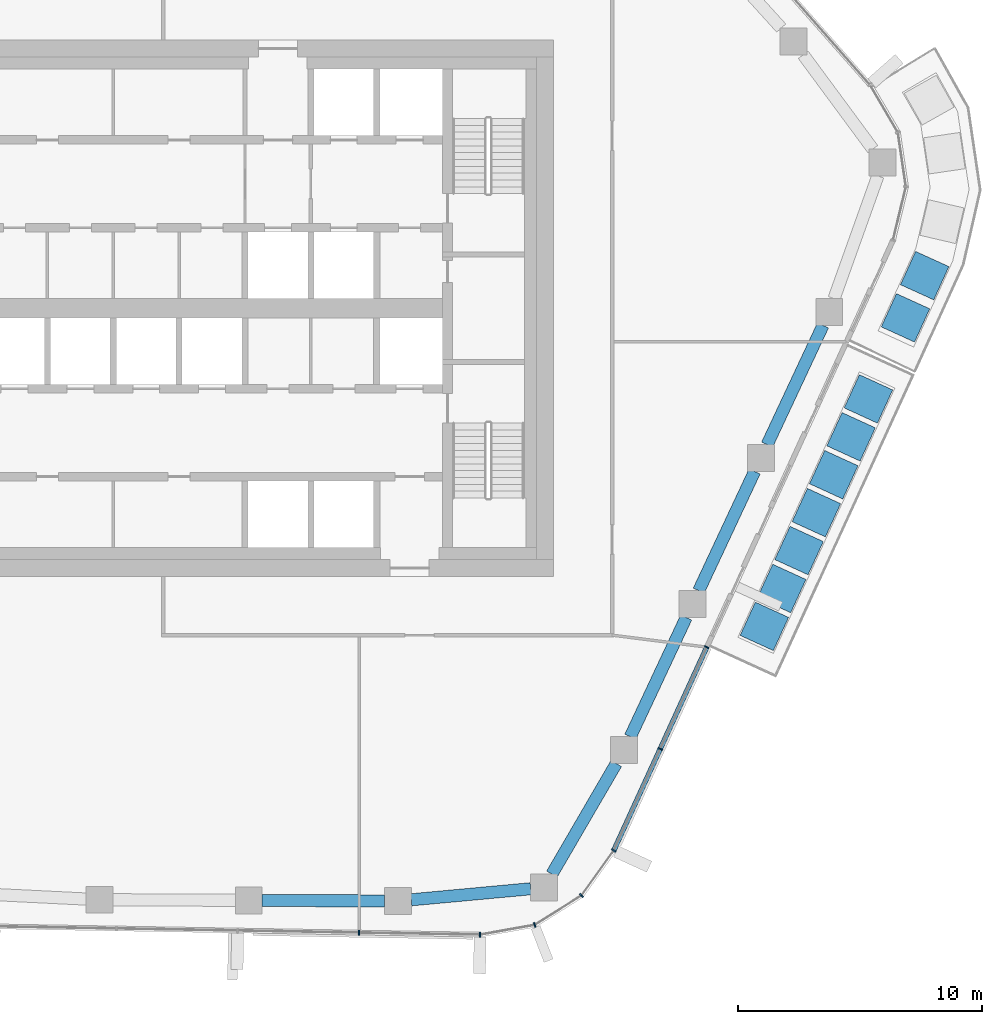
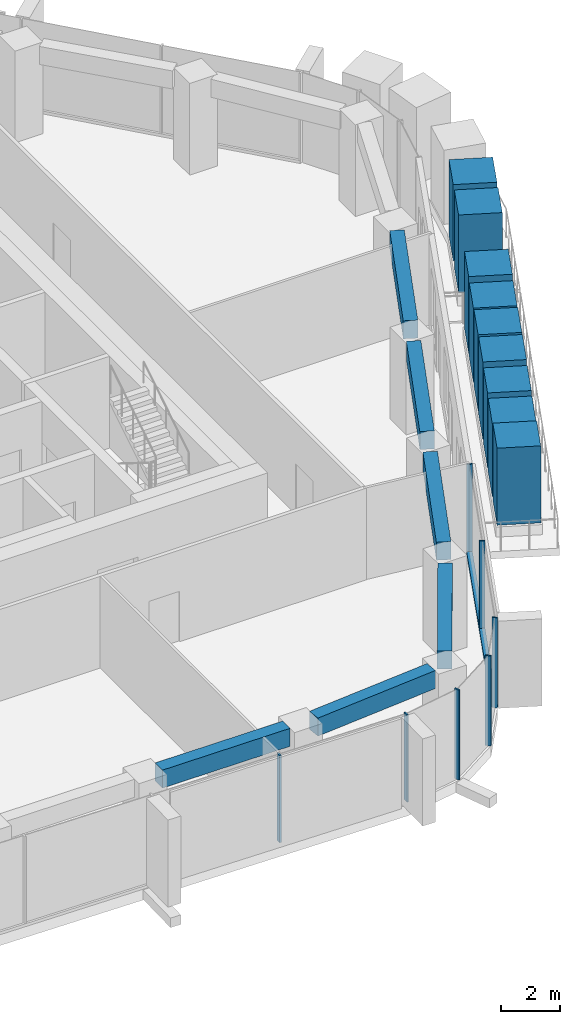
# One storey, part 5 of 22: 17 members, 6 beams, 3 elements without a shape of their own.
"""IFC4 building model written with IfcOpenShell, lengths in metres."""

from ifc_helpers import new_model, si_unit, direction, frame, origin, origin_2d, place, context, subcontext, project, spatial, rectangle, extrude, material, layer, layer_set, material_profile, profile_set, type_object, element, aggregate, save


model = new_model("IFC4")

# Units and contexts
model_context = context("Model", 3, precision=1e-05, world=origin(), true_north=direction((0.0, 1.0)))
body_context = subcontext(model_context, "Body", "Model", "MODEL_VIEW")
ifc_project = project(units=[si_unit("LENGTHUNIT", "METRE"), si_unit("AREAUNIT", "SQUARE_METRE"), si_unit("VOLUMEUNIT", "CUBIC_METRE"), si_unit("PLANEANGLEUNIT", "RADIAN"), si_unit("MASSUNIT", "GRAM", prefix="KILO")], contexts=[model_context])

# Site, building, storey
site_placement = place(None, origin())
site = spatial("IfcSite", under=ifc_project, at=site_placement, CompositionType="ELEMENT")
building_placement = place(site_placement, origin())
building = spatial("IfcBuilding", under=site, at=building_placement, Name="Dongbaek Canopy Tower", CompositionType="ELEMENT")
storey_placement = place(building_placement, frame((0.0, 0.0, 237.0)))
storey = spatial("IfcBuildingStorey", under=building, at=storey_placement, Name="L49", CompositionType="ELEMENT", Elevation=237.0)

# Curtain wall, members
ifc_material_1 = material(Name="Aluminium 6063-T6 pale anodised", Category="aluminium")
ifc_layer = layer(ifc_material_1, 0.199951171875)
ifc_layer_set = layer_set([ifc_layer], Name="CW-1 unitised tower curtain wall")
curtain_wall_type = type_object("IfcCurtainWallType", Name="CW-1 unitised tower curtain wall", PredefinedType="NOTDEFINED", material=ifc_layer_set)
curtain_wall_1_placement = place(storey_placement, origin())
curtain_wall_1 = element("IfcCurtainWall", 1, at=curtain_wall_1_placement, inside=storey, type_object=curtain_wall_type, Name="CW-1 curtain wall F4.1", PredefinedType="NOTDEFINED")
ifc_material_2 = material(Name="Aluminium 6063-T6 pale anodised", Category="aluminium")
ifc_material_profile_1 = material_profile(ifc_material_2, rectangle(XDim=0.199951171875, YDim=0.06005859375, at=origin_2d()), Name="CW-1 mullion 60 x 200")
ifc_profile_set_1 = profile_set([ifc_material_profile_1], Name="Aluminium 6063-T6 pale anodised")
member_type_1 = type_object("IfcMemberType", Name="CW-1 mullion 60 x 200", PredefinedType="MULLION", material=ifc_profile_set_1)
member_1_placement = place(storey_placement, frame((6.025634765625, -25.595703125, 0.1201171875), z_axis=(0.0, 0.0, 1.0), x_axis=(-0.016993149743, -0.999855606006, 0.0)))
member_1 = element("IfcMember", 2, at=member_1_placement, type_object=member_type_1, Name="CW-1 mullion F4.1.4", PredefinedType="MULLION", context=body_context, shape_type="SweptSolid", body=[
    extrude(rectangle(XDim=0.199951171875, YDim=0.06005859375, at=origin_2d()), origin(), (0.0, 0.0, 1.0), 3.6298828125),
])
member_2_placement = place(storey_placement, frame((10.990234375, -25.68017578125, 0.1201171875), z_axis=(0.0, 0.0, 1.0), x_axis=(-0.016993149743, -0.999855606006, 0.0)))
member_2 = element("IfcMember", 3, at=member_2_placement, type_object=member_type_1, Name="CW-1 mullion F4.1.5", PredefinedType="MULLION", context=body_context, shape_type="SweptSolid", body=[
    extrude(rectangle(XDim=0.199951171875, YDim=0.06005859375, at=origin_2d()), origin(), (0.0, 0.0, 1.0), 3.6298828125),
])
aggregate(curtain_wall_1, [member_1, member_2])

curtain_wall_2_placement = place(storey_placement, origin())
curtain_wall_2 = element("IfcCurtainWall", 4, at=curtain_wall_2_placement, inside=storey, type_object=curtain_wall_type, Name="CW-1 curtain wall K5.1", PredefinedType="NOTDEFINED")
member_3_placement = place(storey_placement, frame((13.228759765625, -25.28173828125, 0.0), z_axis=(0.0, 0.0, 1.0), x_axis=(0.360882644319, -0.93261123574, 0.0)))
member_3 = element("IfcMember", 5, at=member_3_placement, type_object=member_type_1, Name="CW-1 mullion K5.1.2", PredefinedType="MULLION", context=body_context, shape_type="SweptSolid", body=[
    extrude(rectangle(XDim=0.199951171875, YDim=0.06005859375, at=origin_2d()), origin(), (0.0, 0.0, 1.0), 3.75),
])
member_4_placement = place(storey_placement, frame((15.143798828125, -24.074951171875, 0.0), z_axis=(0.0, 0.0, 1.0), x_axis=(0.685596122753, -0.727982112737, 0.0)))
member_4 = element("IfcMember", 6, at=member_4_placement, type_object=member_type_1, Name="CW-1 mullion K5.1.3", PredefinedType="MULLION", context=body_context, shape_type="SweptSolid", body=[
    extrude(rectangle(XDim=0.199951171875, YDim=0.06005859375, at=origin_2d()), origin(), (0.0, 0.0, 1.0), 3.75),
])
member_5_placement = place(storey_placement, frame((16.46923828125, -22.227294921875, 0.0), z_axis=(0.0, 0.0, 1.0), x_axis=(0.812557400562, -0.582881180681, 0.0)))
member_5 = element("IfcMember", 7, at=member_5_placement, type_object=member_type_1, Name="CW-1 mullion K5.1.4", PredefinedType="MULLION", context=body_context, shape_type="SweptSolid", body=[
    extrude(rectangle(XDim=0.199951171875, YDim=0.06005859375, at=origin_2d()), origin(), (0.0, 0.0, 1.0), 3.75),
])
aggregate(curtain_wall_2, [member_3, member_4, member_5])

curtain_wall_3_placement = place(storey_placement, origin())
curtain_wall_3 = element("IfcCurtainWall", 8, at=curtain_wall_3_placement, inside=storey, type_object=curtain_wall_type, Name="CW-1 curtain wall F5.1", PredefinedType="NOTDEFINED")
member_6_placement = place(storey_placement, frame((18.374267578125, -18.064208984375, 0.1201171875), z_axis=(0.0, 0.0, 1.0), x_axis=(0.909313119282, -0.416112546196, 0.0)))
member_6 = element("IfcMember", 9, at=member_6_placement, type_object=member_type_1, Name="CW-1 mullion F5.1.2", PredefinedType="MULLION", context=body_context, shape_type="SweptSolid", body=[
    extrude(rectangle(XDim=0.199951171875, YDim=0.06005859375, at=origin_2d()), origin(), (0.0, 0.0, 1.0), 3.6298828125),
])
member_7_placement = place(storey_placement, frame((20.283447265625, -13.89208984375, 0.1201171875), z_axis=(0.0, 0.0, 1.0), x_axis=(0.909313119282, -0.416112546196, 0.0)))
member_7 = element("IfcMember", 10, at=member_7_placement, type_object=member_type_1, Name="CW-1 mullion F5.1.3", PredefinedType="MULLION", context=body_context, shape_type="SweptSolid", body=[
    extrude(rectangle(XDim=0.199951171875, YDim=0.06005859375, at=origin_2d()), origin(), (0.0, 0.0, 1.0), 3.6298828125),
])
ifc_material_3 = material(Name="Aluminium 6063-T6 pale anodised", Category="aluminium")
ifc_material_profile_2 = material_profile(ifc_material_3, rectangle(XDim=0.199951171875, YDim=0.1201171875, at=origin_2d()), Name="CW-1 transom 120 x 200")
ifc_profile_set_2 = profile_set([ifc_material_profile_2], Name="Aluminium 6063-T6 pale anodised")
member_type_2 = type_object("IfcMemberType", Name="CW-1 transom 120 x 200", PredefinedType="USERDEFINED", material=ifc_profile_set_2)
member_8_placement = place(storey_placement, frame((16.46923828125, -22.227294921875, 0.06005859375), z_axis=(0.41610529079, 0.909316439407, 0.0), x_axis=(-0.909316439407, 0.41610529079, 0.0)))
member_8 = element("IfcMember", 11, at=member_8_placement, type_object=member_type_2, Name="CW-1 transom F5.1.1", ObjectType="TRANSOM", PredefinedType="USERDEFINED", context=body_context, shape_type="SweptSolid", body=[
    extrude(rectangle(XDim=0.199951171875, YDim=0.1201171875, at=origin_2d()), origin(), (0.0, 0.0, 1.0), 9.16650390625),
])
aggregate(curtain_wall_3, [member_6, member_7, member_8])

# Beams
ifc_material_4 = material(Name="Concrete C70", Category="concrete")
ifc_material_profile_3 = material_profile(ifc_material_4, rectangle(XDim=0.5, YDim=0.75, at=origin_2d()), Name="RC EDGE BEAM 500x750 C70")
ifc_profile_set_3 = profile_set([ifc_material_profile_3], Name="Concrete C70")
beam_type = type_object("IfcBeamType", Name="RC EDGE BEAM 500x750 C70", PredefinedType="BEAM", material=ifc_profile_set_3)
beam_1_placement = place(storey_placement, frame((13.06201171875, -23.796875, 3.445068359375), z_axis=(-0.995758214652, -0.092008575434, 0.0), x_axis=(0.092008575434, -0.995758214652, 0.0)))
element("IfcBeam", 12, at=beam_1_placement, inside=storey, type_object=beam_type, Name="EDGEBEAM:L49:00", PredefinedType="BEAM", context=body_context, shape_type="SweptSolid", body=[
    extrude(rectangle(XDim=0.5, YDim=0.75, at=origin_2d()), origin(), (0.0, 0.0, 1.0), 4.916748046875),
])
beam_2_placement = place(storey_placement, frame((7.06591796875, -24.297607421875, 3.445068359375), z_axis=(-0.999989301171, 0.004625747851, 0.0), x_axis=(-0.004625747851, -0.999989301171, 0.0)))
element("IfcBeam", 13, at=beam_2_placement, inside=storey, type_object=beam_type, Name="EDGEBEAM:L49:01", PredefinedType="BEAM", context=body_context, shape_type="SweptSolid", body=[
    extrude(rectangle(XDim=0.5, YDim=0.75, at=origin_2d()), origin(), (0.0, 0.0, 1.0), 5.013916015625),
])
beam_3_placement = place(storey_placement, frame((25.04443359375, -0.701904296875, 3.445068359375), z_axis=(-0.423972479832, -0.905675072167, 0.0), x_axis=(0.905675072167, -0.423972479832, 0.0)))
element("IfcBeam", 14, at=beam_3_placement, inside=storey, type_object=beam_type, Name="EDGEBEAM:L49:22", PredefinedType="BEAM", context=body_context, shape_type="SweptSolid", body=[
    extrude(rectangle(XDim=0.5, YDim=0.75, at=origin_2d()), origin(), (0.0, 0.0, 1.0), 5.396240234375),
])
beam_4_placement = place(storey_placement, frame((22.241455078125, -6.68896484375, 3.445068359375), z_axis=(-0.424105880993, -0.905612611279, 0.0), x_axis=(0.905612611279, -0.424105880993, 0.0)))
element("IfcBeam", 15, at=beam_4_placement, inside=storey, type_object=beam_type, Name="EDGEBEAM:L49:23", PredefinedType="BEAM", context=body_context, shape_type="SweptSolid", body=[
    extrude(rectangle(XDim=0.5, YDim=0.75, at=origin_2d()), origin(), (0.0, 0.0, 1.0), 5.3974609375),
])
beam_5_placement = place(storey_placement, frame((19.437255859375, -12.677001953125, 3.445068359375), z_axis=(-0.424249579949, -0.905545301966, 0.0), x_axis=(0.905545301966, -0.424249579949, 0.0)))
element("IfcBeam", 16, at=beam_5_placement, inside=storey, type_object=beam_type, Name="EDGEBEAM:L49:24", PredefinedType="BEAM", context=body_context, shape_type="SweptSolid", body=[
    extrude(rectangle(XDim=0.5, YDim=0.75, at=origin_2d()), origin(), (0.0, 0.0, 1.0), 5.396728515625),
])
beam_6_placement = place(storey_placement, frame((16.56982421875, -18.6640625, 3.445068359375), z_axis=(-0.503022590015, -0.864273263462, 0.0), x_axis=(0.864273263462, -0.503022590015, 0.0)))
element("IfcBeam", 17, at=beam_6_placement, inside=storey, type_object=beam_type, Name="EDGEBEAM:L49:25", PredefinedType="BEAM", context=body_context, shape_type="SweptSolid", body=[
    extrude(rectangle(XDim=0.5, YDim=0.75, at=origin_2d()), origin(), (0.0, 0.0, 1.0), 5.24365234375),
])

# Members
ifc_material_5 = material(Name="Concrete C40/50 planter mass with planting", Category="concrete")
ifc_material_profile_4 = material_profile(ifc_material_5, rectangle(XDim=1.5, YDim=1.5, at=origin_2d()), Name="Terrace PLANTER shrub mass 1500 x 1500")
ifc_profile_set_4 = profile_set([ifc_material_profile_4], Name="Concrete C40/50 planter mass with planting")
member_type_3 = type_object("IfcMemberType", Name="Terrace PLANTER shrub mass 1500 x 1500", PredefinedType="USERDEFINED", material=ifc_profile_set_4)
member_9_placement = place(storey_placement, frame((22.641357421875, -13.04150390625, 0.419921875), z_axis=(0.0, 0.0, 1.0), x_axis=(0.909313119282, -0.416112546196, 0.0)))
element("IfcMember", 18, at=member_9_placement, inside=storey, type_object=member_type_3, Name="Planter shrubs L49 2.1", ObjectType="PLANTER", PredefinedType="USERDEFINED", context=body_context, shape_type="SweptSolid", body=[
    extrude(rectangle(XDim=1.5, YDim=1.5, at=origin_2d()), origin(), (0.0, 0.0, 1.0), 3.2099609375),
])
member_10_placement = place(storey_placement, frame((23.3525390625, -11.487060546875, 0.419921875), z_axis=(0.0, 0.0, 1.0), x_axis=(0.909313119282, -0.416112546196, 0.0)))
element("IfcMember", 19, at=member_10_placement, inside=storey, type_object=member_type_3, Name="Planter shrubs L49 2.2", ObjectType="PLANTER", PredefinedType="USERDEFINED", context=body_context, shape_type="SweptSolid", body=[
    extrude(rectangle(XDim=1.5, YDim=1.5, at=origin_2d()), origin(), (0.0, 0.0, 1.0), 3.050048828125),
])
member_11_placement = place(storey_placement, frame((24.063720703125, -9.932861328125, 0.419921875), z_axis=(0.0, 0.0, 1.0), x_axis=(0.909313119282, -0.416112546196, 0.0)))
element("IfcMember", 20, at=member_11_placement, inside=storey, type_object=member_type_3, Name="Planter shrubs L49 2.3", ObjectType="PLANTER", PredefinedType="USERDEFINED", context=body_context, shape_type="SweptSolid", body=[
    extrude(rectangle(XDim=1.5, YDim=1.5, at=origin_2d()), origin(), (0.0, 0.0, 1.0), 3.130126953125),
])
member_12_placement = place(storey_placement, frame((24.77490234375, -8.378662109375, 0.419921875), z_axis=(0.0, 0.0, 1.0), x_axis=(0.909313119282, -0.416112546196, 0.0)))
element("IfcMember", 21, at=member_12_placement, inside=storey, type_object=member_type_3, Name="Planter shrubs L49 2.4", ObjectType="PLANTER", PredefinedType="USERDEFINED", context=body_context, shape_type="SweptSolid", body=[
    extrude(rectangle(XDim=1.5, YDim=1.5, at=origin_2d()), origin(), (0.0, 0.0, 1.0), 3.22998046875),
])
member_13_placement = place(storey_placement, frame((25.486083984375, -6.824462890625, 0.419921875), z_axis=(0.0, 0.0, 1.0), x_axis=(0.909313119282, -0.416112546196, 0.0)))
element("IfcMember", 22, at=member_13_placement, inside=storey, type_object=member_type_3, Name="Planter shrubs L49 2.5", ObjectType="PLANTER", PredefinedType="USERDEFINED", context=body_context, shape_type="SweptSolid", body=[
    extrude(rectangle(XDim=1.5, YDim=1.5, at=origin_2d()), origin(), (0.0, 0.0, 1.0), 3.170166015625),
])
member_14_placement = place(storey_placement, frame((26.197509765625, -5.270263671875, 0.419921875), z_axis=(0.0, 0.0, 1.0), x_axis=(0.909313119282, -0.416112546196, 0.0)))
element("IfcMember", 23, at=member_14_placement, inside=storey, type_object=member_type_3, Name="Planter shrubs L49 2.6", ObjectType="PLANTER", PredefinedType="USERDEFINED", context=body_context, shape_type="SweptSolid", body=[
    extrude(rectangle(XDim=1.5, YDim=1.5, at=origin_2d()), origin(), (0.0, 0.0, 1.0), 3.090087890625),
])
member_15_placement = place(storey_placement, frame((26.90869140625, -3.716064453125, 0.419921875), z_axis=(0.0, 0.0, 1.0), x_axis=(0.909313119282, -0.416112546196, 0.0)))
element("IfcMember", 24, at=member_15_placement, inside=storey, type_object=member_type_3, Name="Planter shrubs L49 2.7", ObjectType="PLANTER", PredefinedType="USERDEFINED", context=body_context, shape_type="SweptSolid", body=[
    extrude(rectangle(XDim=1.5, YDim=1.5, at=origin_2d()), origin(), (0.0, 0.0, 1.0), 3.2099609375),
])
member_16_placement = place(storey_placement, frame((28.427490234375, -0.39208984375, 0.419921875), z_axis=(0.0, 0.0, 1.0), x_axis=(0.910163508944, -0.414249184655, 0.0)))
element("IfcMember", 25, at=member_16_placement, inside=storey, type_object=member_type_3, Name="Planter shrubs L49 3.1", ObjectType="PLANTER", PredefinedType="USERDEFINED", context=body_context, shape_type="SweptSolid", body=[
    extrude(rectangle(XDim=1.5, YDim=1.5, at=origin_2d()), origin(), (0.0, 0.0, 1.0), 3.22998046875),
])
member_17_placement = place(storey_placement, frame((29.214599609375, 1.33740234375, 0.419921875), z_axis=(0.0, 0.0, 1.0), x_axis=(0.910163508944, -0.414249184655, 0.0)))
element("IfcMember", 26, at=member_17_placement, inside=storey, type_object=member_type_3, Name="Planter shrubs L49 3.2", ObjectType="PLANTER", PredefinedType="USERDEFINED", context=body_context, shape_type="SweptSolid", body=[
    extrude(rectangle(XDim=1.5, YDim=1.5, at=origin_2d()), origin(), (0.0, 0.0, 1.0), 3.170166015625),
])

save(model, "model.ifc")
